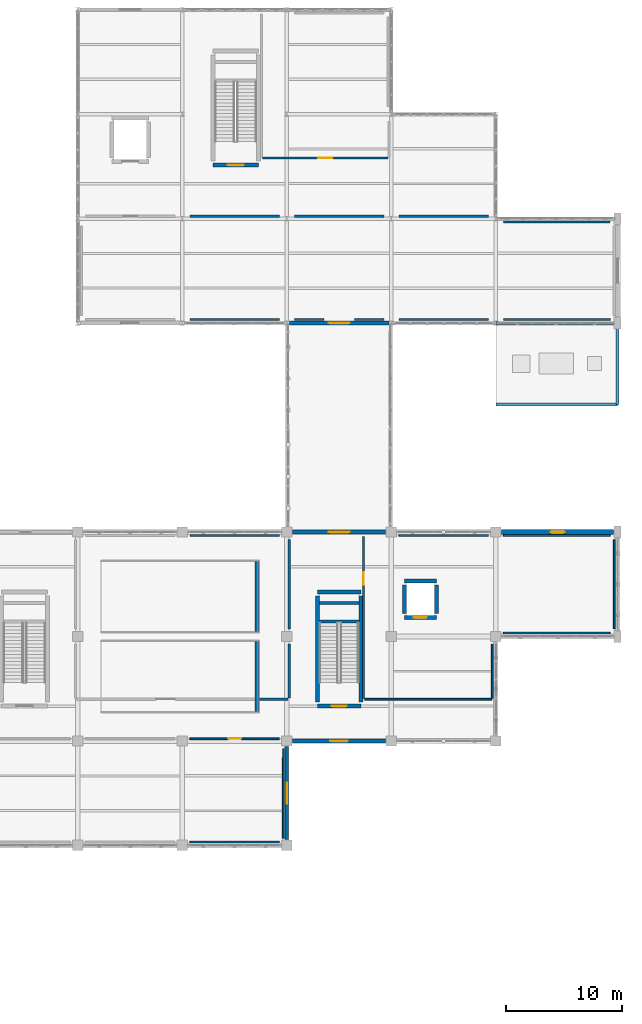
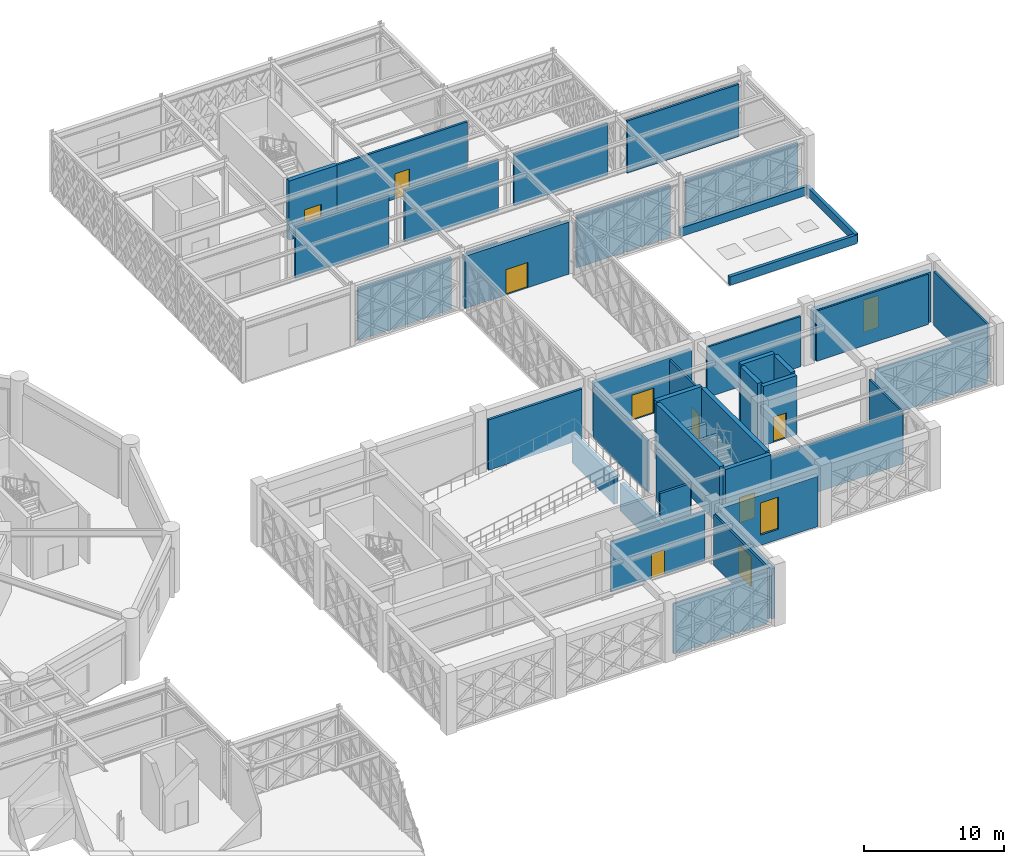
# One storey, part 146 of 166: 45 walls, 8 doors, 3 windows, 11 openings.
"""IFC4 building model written with IfcOpenShell, lengths in metres."""

from ifc_helpers import new_model, si_unit, direction, frame, frame_2d, origin, place, context, subcontext, project, spatial, rectangle, extrude, material, layer, layer_set, type_object, element, fill, save


model = new_model("IFC4")

# Units and contexts
model_context = context("Model", 3, precision=1e-05, world=origin(), true_north=direction((0.0, 1.0)))
body_context = subcontext(model_context, "Body", "Model", "MODEL_VIEW")
ifc_project = project(units=[si_unit("LENGTHUNIT", "METRE"), si_unit("AREAUNIT", "SQUARE_METRE"), si_unit("VOLUMEUNIT", "CUBIC_METRE"), si_unit("PLANEANGLEUNIT", "RADIAN"), si_unit("MASSUNIT", "GRAM", prefix="KILO")], contexts=[model_context])

# Site, building, storey
site_placement = place(None, origin())
site = spatial("IfcSite", under=ifc_project, at=site_placement, CompositionType="ELEMENT")
building_placement = place(site_placement, origin())
building = spatial("IfcBuilding", under=site, at=building_placement, Name="Haizhuo Lancet Aquarium", CompositionType="ELEMENT")
storey_placement = place(building_placement, frame((0.0, 0.0, 5.39990234375)))
storey = spatial("IfcBuildingStorey", under=building, at=storey_placement, Name="L01", CompositionType="ELEMENT", Elevation=5.39990234375)

# Wall, opening, door
ifc_material_1 = material(Name="Shandong Grey Limestone Ashlar", Category="masonry")
ifc_layer_1 = layer(ifc_material_1, 0.320068359375)
ifc_layer_set_1 = layer_set([ifc_layer_1], Name="Shandong Grey Limestone Ashlar")
wall_type_1 = type_object("IfcWallType", Name="EWL-ASH-320", PredefinedType="SOLIDWALL", material=ifc_layer_set_1)
wall_1_placement = place(storey_placement, frame((54.4951171875, -9.0, 0.0), z_axis=(0.0, 0.0, 1.0), x_axis=(1.0, 0.0, 0.0)))
wall_1 = element("IfcWall", 1, at=wall_1_placement, inside=storey, type_object=wall_type_1, Name="L01 V3 sky-bridge portal wall", PredefinedType="SOLIDWALL", context=body_context, shape_type="SweptSolid", body=[
    extrude(rectangle(XDim=8.009765625, YDim=0.320068359375, at=frame_2d((4.0048828125, 0.0))), origin(), (0.0, 0.0, 1.0), 4.375),
])
opening_1_placement = place(wall_1_placement, frame((3.10498046875, 0.0, 0.0)))
opening_1 = element("IfcOpeningElement", 2, at=opening_1_placement, cuts=wall_1, Name="Opening EX-01", PredefinedType="OPENING", context=body_context, shape_type="SweptSolid", body=[
    extrude(rectangle(XDim=1.800048828125, YDim=2.199951171875, at=frame_2d((0.89990234375, 1.10009765625))), frame((0.0, 0.169921875, 0.0), z_axis=(0.0, -1.0, 0.0), x_axis=(1.0, 0.0, 0.0)), (0.0, 0.0, 1.0), 0.340068),
])
ifc_material_2 = material(Name="Steel S355", Category="steel")
door_type_1 = type_object("IfcDoorType", Name="EDR-EXIT-1800x2200", OperationType="NOTDEFINED", PredefinedType="DOOR", material=ifc_material_2)
door_1_placement = place(opening_1_placement, origin())
door_1 = element("IfcDoor", 3, at=door_1_placement, inside=storey, type_object=door_type_1, Name="L01 V3 sky-bridge vestibule fire door", OperationType="DOUBLE_DOOR_SINGLE_SWING", OverallHeight=2.199951171875, OverallWidth=1.800048828125, PredefinedType="DOOR", context=body_context, shape_type="SweptSolid", body=[
    extrude(rectangle(XDim=1.800048828125, YDim=2.199951171875, at=frame_2d((0.89990234375, 1.10009765625))), frame((0.0, 0.02490234375, 0.0), z_axis=(0.0, -1.0, 0.0), x_axis=(1.0, 0.0, 0.0)), (0.0, 0.0, 1.0), 0.050048828125),
])
fill(opening_1, door_1)

# Wall, opening, window
wall_2_placement = place(storey_placement, frame((54.0, -27.4951171875, 0.0), z_axis=(0.0, 0.0, 1.0), x_axis=(0.0, -1.0, 0.0)))
wall_2 = element("IfcWall", 4, at=wall_2_placement, inside=storey, type_object=wall_type_1, Name="L01 V3 limestone facade wall 74", PredefinedType="SOLIDWALL", context=body_context, shape_type="SweptSolid", body=[
    extrude(rectangle(XDim=8.009765625, YDim=0.320068359375, at=frame_2d((4.0048828125, 0.0))), origin(), (0.0, 0.0, 1.0), 4.375),
])
opening_2_placement = place(wall_2_placement, frame((3.10498046875, 0.0, 0.89990234375)))
opening_2 = element("IfcOpeningElement", 5, at=opening_2_placement, cuts=wall_2, Name="Opening WN-05", PredefinedType="OPENING", context=body_context, shape_type="SweptSolid", body=[
    extrude(rectangle(XDim=1.800048828125, YDim=2.60009765625, at=frame_2d((0.89990234375, 1.300048828125))), frame((0.0, 0.169921875, 0.0), z_axis=(0.0, -1.0, 0.0), x_axis=(1.0, 0.0, 0.0)), (0.0, 0.0, 1.0), 0.340068),
])
ifc_material_3 = material(Name="Laminated Low-E Glass", Category="glass")
window_type_1 = type_object("IfcWindowType", Name="WIN-LAN-1800x2600", PartitioningType="SINGLE_PANEL", PredefinedType="WINDOW", material=ifc_material_3)
window_1_placement = place(opening_2_placement, origin())
window_1 = element("IfcWindow", 6, at=window_1_placement, inside=storey, type_object=window_type_1, Name="L01 V3 lancet window 58", OverallHeight=2.60009765625, OverallWidth=1.800048828125, PartitioningType="SINGLE_PANEL", PredefinedType="WINDOW", context=body_context, shape_type="SweptSolid", body=[
    extrude(rectangle(XDim=1.800048828125, YDim=2.60009765625, at=frame_2d((0.89990234375, 1.300048828125))), frame((0.0, 0.030029296875, 0.0), z_axis=(0.0, -1.0, 0.0), x_axis=(1.0, 0.0, 0.0)), (0.0, 0.0, 1.0), 0.06005859375),
])
fill(opening_2, window_1)

# Wall, opening, door
wall_3_placement = place(storey_placement, frame((62.780029296875, 9.0, 0.0), z_axis=(0.0, 0.0, 1.0), x_axis=(-1.0, 0.0, 0.0)))
wall_3 = element("IfcWall", 7, at=wall_3_placement, inside=storey, type_object=wall_type_1, Name="L01 V7 sky-bridge portal wall", PredefinedType="SOLIDWALL", context=body_context, shape_type="SweptSolid", body=[
    extrude(rectangle(XDim=8.56005859375, YDim=0.320068359375, at=frame_2d((4.280029296875, 0.0))), origin(), (0.0, 0.0, 1.0), 4.537109375),
])
opening_3_placement = place(wall_3_placement, frame((3.3798828125, 0.0, 0.0)))
opening_3 = element("IfcOpeningElement", 8, at=opening_3_placement, cuts=wall_3, Name="Opening EX-01", PredefinedType="OPENING", context=body_context, shape_type="SweptSolid", body=[
    extrude(rectangle(XDim=1.800048828125, YDim=2.199951171875, at=frame_2d((0.89990234375, 1.10009765625))), frame((0.0, 0.169921875, 0.0), z_axis=(0.0, -1.0, 0.0), x_axis=(1.0, 0.0, 0.0)), (0.0, 0.0, 1.0), 0.340068),
])
door_2_placement = place(opening_3_placement, origin())
door_2 = element("IfcDoor", 9, at=door_2_placement, inside=storey, type_object=door_type_1, Name="L01 V7 sky-bridge vestibule fire door", OperationType="DOUBLE_DOOR_SINGLE_SWING", OverallHeight=2.199951171875, OverallWidth=1.800048828125, PredefinedType="DOOR", context=body_context, shape_type="SweptSolid", body=[
    extrude(rectangle(XDim=1.800048828125, YDim=2.199951171875, at=frame_2d((0.89990234375, 1.10009765625))), frame((0.0, 0.02490234375, 0.0), z_axis=(0.0, -1.0, 0.0), x_axis=(1.0, 0.0, 0.0)), (0.0, 0.0, 1.0), 0.050048828125),
])
fill(opening_3, door_2)

# Wall, opening, window
ifc_layer_2 = layer(ifc_material_1, 0.360107421875)
ifc_layer_set_2 = layer_set([ifc_layer_2], Name="Shandong Grey Limestone Ashlar")
wall_type_2 = type_object("IfcWallType", Name="EWL-ASH-360", PredefinedType="SOLIDWALL", material=ifc_layer_set_2)
wall_4_placement = place(storey_placement, frame((62.5048828125, -27.0, 0.0), z_axis=(0.0, 0.0, 1.0), x_axis=(-1.0, 0.0, 0.0)))
wall_4 = element("IfcWall", 10, at=wall_4_placement, inside=storey, type_object=wall_type_2, Name="L01 V3 limestone facade wall 73", PredefinedType="SOLIDWALL", context=body_context, shape_type="SweptSolid", body=[
    extrude(rectangle(XDim=8.009765625, YDim=0.360107421875, at=frame_2d((4.0048828125, 0.0))), origin(), (0.0, 0.0, 1.0), 4.375),
])
opening_4_placement = place(wall_4_placement, frame((3.2548828125, 0.0, 0.89990234375)))
opening_4 = element("IfcOpeningElement", 11, at=opening_4_placement, cuts=wall_4, Name="Opening WN-03", PredefinedType="OPENING", context=body_context, shape_type="SweptSolid", body=[
    extrude(rectangle(XDim=1.5, YDim=2.800048828125, at=frame_2d((0.75, 1.39990234375))), frame((0.0, 0.18994140625, 0.0), z_axis=(0.0, -1.0, 0.0), x_axis=(1.0, 0.0, 0.0)), (0.0, 0.0, 1.0), 0.380107),
])
window_type_2 = type_object("IfcWindowType", Name="WIN-LAN-1500x2800", PartitioningType="SINGLE_PANEL", PredefinedType="WINDOW", material=ifc_material_3)
window_2_placement = place(opening_4_placement, origin())
window_2 = element("IfcWindow", 12, at=window_2_placement, inside=storey, type_object=window_type_2, Name="L01 V3 lancet window 57", OverallHeight=2.800048828125, OverallWidth=1.5, PartitioningType="SINGLE_PANEL", PredefinedType="WINDOW", context=body_context, shape_type="SweptSolid", body=[
    extrude(rectangle(XDim=1.5, YDim=2.800048828125, at=frame_2d((0.75, 1.39990234375))), frame((0.0, 0.030029296875, 0.0), z_axis=(0.0, -1.0, 0.0), x_axis=(1.0, 0.0, 0.0)), (0.0, 0.0, 1.0), 0.06005859375),
])
fill(opening_4, window_2)

ifc_layer_3 = layer(ifc_material_1, 0.39990234375)
ifc_layer_set_3 = layer_set([ifc_layer_3], Name="Shandong Grey Limestone Ashlar")
wall_type_3 = type_object("IfcWallType", Name="EWL-ASH-400", PredefinedType="SOLIDWALL", material=ifc_layer_set_3)
wall_5_placement = place(storey_placement, frame((72.4951171875, -9.0, 0.0), z_axis=(0.0, 0.0, 1.0), x_axis=(1.0, 0.0, 0.0)))
wall_5 = element("IfcWall", 13, at=wall_5_placement, inside=storey, type_object=wall_type_3, Name="L01 V3 limestone facade wall 72", PredefinedType="SOLIDWALL", context=body_context, shape_type="SweptSolid", body=[
    extrude(rectangle(XDim=9.659912109375, YDim=0.39990234375, at=frame_2d((4.830078125, 0.0))), origin(), (0.0, 0.0, 1.0), 4.375),
])
opening_5_placement = place(wall_5_placement, frame((4.22998046875, 0.0, 0.89990234375)))
opening_5 = element("IfcOpeningElement", 14, at=opening_5_placement, cuts=wall_5, Name="Opening WN-01", PredefinedType="OPENING", context=body_context, shape_type="SweptSolid", body=[
    extrude(rectangle(XDim=1.199951171875, YDim=2.800048828125, at=frame_2d((0.60009765625, 1.39990234375))), frame((0.0, 0.2099609375, 0.0), z_axis=(0.0, -1.0, 0.0), x_axis=(1.0, 0.0, 0.0)), (0.0, 0.0, 1.0), 0.419902),
])
window_type_3 = type_object("IfcWindowType", Name="WIN-LAN-1200x2800", PartitioningType="SINGLE_PANEL", PredefinedType="WINDOW", material=ifc_material_3)
window_3_placement = place(opening_5_placement, origin())
window_3 = element("IfcWindow", 15, at=window_3_placement, inside=storey, type_object=window_type_3, Name="L01 V3 lancet window 56", OverallHeight=2.800048828125, OverallWidth=1.199951171875, PartitioningType="SINGLE_PANEL", PredefinedType="WINDOW", context=body_context, shape_type="SweptSolid", body=[
    extrude(rectangle(XDim=1.199951171875, YDim=2.800048828125, at=frame_2d((0.60009765625, 1.39990234375))), frame((0.0, 0.030029296875, 0.0), z_axis=(0.0, -1.0, 0.0), x_axis=(1.0, 0.0, 0.0)), (0.0, 0.0, 1.0), 0.06005859375),
])
fill(opening_5, window_3)

# Walls
ifc_layer_4 = layer(ifc_material_1, 0.260009765625)
ifc_layer_set_4 = layer_set([ifc_layer_4], Name="Shandong Grey Limestone Ashlar")
wall_type_4 = type_object("IfcWallType", Name="EWL-PAR-260", PredefinedType="PARAPET", material=ifc_layer_set_4)
wall_6_placement = place(storey_placement, frame((72.0, 2.0, 0.0), z_axis=(0.0, 0.0, 1.0), x_axis=(1.0, 0.0, 0.0)))
element("IfcWall", 16, at=wall_6_placement, inside=storey, type_object=wall_type_4, Name="East arrival canopy parapet 1", PredefinedType="PARAPET", context=body_context, shape_type="SweptSolid", body=[
    extrude(rectangle(XDim=10.5, YDim=0.260009765625, at=frame_2d((5.25, 0.0))), origin(), (0.0, 0.0, 1.0), 0.75),
])
wall_7_placement = place(storey_placement, frame((82.5, 2.0, 0.0), z_axis=(0.0, 0.0, 1.0), x_axis=(0.0, 1.0, 0.0)))
element("IfcWall", 17, at=wall_7_placement, inside=storey, type_object=wall_type_4, Name="East arrival canopy parapet 2", PredefinedType="PARAPET", context=body_context, shape_type="SweptSolid", body=[
    extrude(rectangle(XDim=7.0, YDim=0.260009765625, at=frame_2d((3.5, 0.0))), origin(), (0.0, 0.0, 1.0), 0.75),
])
wall_8_placement = place(storey_placement, frame((82.5, 9.0, 0.0), z_axis=(0.0, 0.0, 1.0), x_axis=(-1.0, 0.0, 0.0)))
element("IfcWall", 18, at=wall_8_placement, inside=storey, type_object=wall_type_4, Name="East arrival canopy parapet 3", PredefinedType="PARAPET", context=body_context, shape_type="SweptSolid", body=[
    extrude(rectangle(XDim=10.5, YDim=0.260009765625, at=frame_2d((5.25, 0.0))), origin(), (0.0, 0.0, 1.0), 0.75),
])
ifc_material_4 = material(Name="Concrete C40/50", Category="concrete")
ifc_layer_5 = layer(ifc_material_4, 0.199951171875)
ifc_layer_set_5 = layer_set([ifc_layer_5], Name="Concrete C40/50")
wall_type_5 = type_object("IfcWallType", Name="IWL-ACU-200", PredefinedType="PARTITIONING", material=ifc_layer_set_5)
wall_9_placement = place(storey_placement, frame((51.625, -23.39892578125, 0.0), z_axis=(0.0, 0.0, 1.0), x_axis=(0.999999922163, -0.000394555108, 0.0)))
element("IfcWall", 19, at=wall_9_placement, inside=storey, type_object=wall_type_5, Name="L01 partition wall 249", PredefinedType="PARTITIONING", context=body_context, shape_type="SweptSolid", body=[
    extrude(rectangle(XDim=2.47509765625, YDim=0.199951171875, at=frame_2d((1.237548828125, 0.0))), origin(), (0.0, 0.0, 1.0), 4.425048828125),
])
wall_10_placement = place(storey_placement, frame((54.199951171875, -23.300048828125, 0.0), z_axis=(0.0, 0.0, 1.0), x_axis=(0.0, 1.0, 0.0)))
element("IfcWall", 20, at=wall_10_placement, inside=storey, type_object=wall_type_5, Name="L01 partition wall 250", PredefinedType="PARTITIONING", context=body_context, shape_type="SweptSolid", body=[
    extrude(rectangle(XDim=4.66015625, YDim=0.199951171875, at=frame_2d((2.330078125, 0.0))), origin(), (0.0, 0.0, 1.0), 4.425048828125),
])
wall_11_placement = place(storey_placement, frame((54.199951171875, -17.360107421875, 0.0), z_axis=(0.0, 0.0, 1.0), x_axis=(0.0, 1.0, 0.0)))
element("IfcWall", 21, at=wall_11_placement, inside=storey, type_object=wall_type_5, Name="L01 partition wall 251", PredefinedType="PARTITIONING", context=body_context, shape_type="SweptSolid", body=[
    extrude(rectangle(XDim=7.710205078125, YDim=0.199951171875, at=frame_2d((3.85498046875, 0.0))), origin(), (0.0, 0.0, 1.0), 4.425048828125),
])
wall_12_placement = place(storey_placement, frame((53.35009765625, -9.300048828125, 0.0), z_axis=(0.0, 0.0, 1.0), x_axis=(-1.0, 0.0, 0.0)))
element("IfcWall", 22, at=wall_12_placement, inside=storey, type_object=wall_type_5, Name="L01 partition wall 252", PredefinedType="PARTITIONING", context=body_context, shape_type="SweptSolid", body=[
    extrude(rectangle(XDim=7.7001953125, YDim=0.199951171875, at=frame_2d((3.85009765625, 0.0))), origin(), (0.0, 0.0, 1.0), 4.375),
])
ifc_layer_6 = layer(ifc_material_4, 0.179931640625)
ifc_layer_set_6 = layer_set([ifc_layer_6], Name="Concrete C40/50")
wall_type_6 = type_object("IfcWallType", Name="IWL-LAB-180", PredefinedType="PARTITIONING", material=ifc_layer_set_6)
wall_13_placement = place(storey_placement, frame((45.64990234375, 9.300048828125, 0.0), z_axis=(0.0, 0.0, 1.0), x_axis=(1.0, 0.0, 0.0)))
element("IfcWall", 23, at=wall_13_placement, inside=storey, type_object=wall_type_6, Name="L01 partition wall 324", PredefinedType="PARTITIONING", context=body_context, shape_type="SweptSolid", body=[
    extrude(rectangle(XDim=7.7001953125, YDim=0.179931640625, at=frame_2d((3.85009765625, 0.0))), origin(), (0.0, 0.0, 1.0), 4.537109375),
])
for number, where, z_axis, x_axis, name in (
    (24, (54.64990234375, 9.300048828125, 0.0), (0.0, 0.0, 1.0), (1.0, 0.0, 0.0), "L01 partition wall 325"),
    (25, (59.81494140625, 9.300048828125, 0.0), (0.0, 0.0, 1.0), (1.0, 0.0, 0.0), "L01 partition wall 326"),
):
    element("IfcWall", number, at=place(storey_placement, frame(where, z_axis=z_axis, x_axis=x_axis)), inside=storey, type_object=wall_type_6, Name=name, PredefinedType="PARTITIONING", context=body_context, shape_type="SweptSolid", body=[
        extrude(rectangle(XDim=2.53515625, YDim=0.179931640625, at=frame_2d((1.267578125, 0.0))), origin(), (0.0, 0.0, 1.0), 4.537109375),
    ])
wall_14_placement = place(storey_placement, frame((63.64990234375, 9.300048828125, 0.0), z_axis=(0.0, 0.0, 1.0), x_axis=(1.0, 0.0, 0.0)))
element("IfcWall", 26, at=wall_14_placement, inside=storey, type_object=wall_type_6, Name="L01 partition wall 327", PredefinedType="PARTITIONING", context=body_context, shape_type="SweptSolid", body=[
    extrude(rectangle(XDim=7.7001953125, YDim=0.179931640625, at=frame_2d((3.85009765625, 0.0))), origin(), (0.0, 0.0, 1.0), 4.537109375),
])
wall_15_placement = place(storey_placement, frame((72.64990234375, 9.300048828125, 0.0), z_axis=(0.0, 0.0, 1.0), x_axis=(0.999999977515, 0.000212060963, 0.0)))
element("IfcWall", 27, at=wall_15_placement, inside=storey, type_object=wall_type_6, Name="L01 partition wall 328", PredefinedType="PARTITIONING", context=body_context, shape_type="SweptSolid", body=[
    extrude(rectangle(XDim=9.210205078125, YDim=0.179931640625, at=frame_2d((4.60498046875, 0.0))), origin(), (0.0, 0.0, 1.0), 4.537109375),
])
wall_16_placement = place(storey_placement, frame((81.85009765625, 17.699951171875, 0.0), z_axis=(0.0, 0.0, 1.0), x_axis=(-1.0, 0.0, 0.0)))
element("IfcWall", 28, at=wall_16_placement, inside=storey, type_object=wall_type_6, Name="L01 partition wall 330", PredefinedType="PARTITIONING", context=body_context, shape_type="SweptSolid", body=[
    extrude(rectangle(XDim=9.2001953125, YDim=0.179931640625, at=frame_2d((4.60009765625, 0.0))), origin(), (0.0, 0.0, 1.0), 4.537109375),
])
for number, where, z_axis, x_axis, name in (
    (29, (71.35009765625, 18.199951171875, 0.0), (0.0, 0.0, 1.0), (-1.0, 0.0, 0.0), "L01 partition wall 331"),
    (30, (62.35009765625, 18.199951171875, 0.0), (0.0, 0.0, 1.0), (-1.0, 0.0, 0.0), "L01 partition wall 332"),
    (31, (53.35009765625, 18.199951171875, 0.0), (0.0, 0.0, 1.0), (-1.0, 0.0, 0.0), "L01 partition wall 333"),
):
    element("IfcWall", number, at=place(storey_placement, frame(where, z_axis=z_axis, x_axis=x_axis)), inside=storey, type_object=wall_type_6, Name=name, PredefinedType="PARTITIONING", context=body_context, shape_type="SweptSolid", body=[
        extrude(rectangle(XDim=7.710205078125, YDim=0.179931640625, at=frame_2d((3.85498046875, 0.0))), origin(), (0.0, 0.0, 1.0), 4.537109375),
    ])

# Wall, opening, door
wall_17_placement = place(storey_placement, frame((51.89990234375, 23.199951171875, 0.0), z_axis=(0.0, 0.0, 1.0), x_axis=(1.0, 0.0, 0.0)))
wall_17 = element("IfcWall", 32, at=wall_17_placement, inside=storey, type_object=wall_type_6, Name="L01 partition wall 337", PredefinedType="PARTITIONING", context=body_context, shape_type="SweptSolid", body=[
    extrude(rectangle(XDim=10.800048828125, YDim=0.179931640625, at=frame_2d((5.39990234375, 0.0))), origin(), (0.0, 0.0, 1.0), 4.63720703125),
])
opening_6_placement = place(wall_17_placement, frame((4.800048828125, 0.0, 0.0)))
opening_6 = element("IfcOpeningElement", 33, at=opening_6_placement, cuts=wall_17, Name="Opening D-04", PredefinedType="OPENING", context=body_context, shape_type="SweptSolid", body=[
    extrude(rectangle(XDim=1.199951171875, YDim=2.199951171875, at=frame_2d((0.60009765625, 1.10009765625))), frame((0.0, 0.099853515625, 0.0), z_axis=(0.0, -1.0, 0.0), x_axis=(1.0, 0.0, 0.0)), (0.0, 0.0, 1.0), 0.199932),
])
door_type_2 = type_object("IfcDoorType", Name="IDR-LAB-1200x2200", OperationType="NOTDEFINED", PredefinedType="DOOR", material=ifc_material_2)
door_3_placement = place(opening_6_placement, origin())
door_3 = element("IfcDoor", 34, at=door_3_placement, inside=storey, type_object=door_type_2, Name="L01 Husbandry Feed Preparation Laboratory door", OperationType="SINGLE_SWING_LEFT", OverallHeight=2.199951171875, OverallWidth=1.199951171875, PredefinedType="DOOR", context=body_context, shape_type="SweptSolid", body=[
    extrude(rectangle(XDim=1.199951171875, YDim=2.199951171875, at=frame_2d((0.60009765625, 1.10009765625))), frame((0.0, 0.02490234375, 0.0), z_axis=(0.0, -1.0, 0.0), x_axis=(1.0, 0.0, 0.0)), (0.0, 0.0, 1.0), 0.050048828125),
])
fill(opening_6, door_3)

ifc_material_5 = material(Name="Gypsum Fireboard Partition")
ifc_layer_7 = layer(ifc_material_5, 0.14990234375)
ifc_layer_set_7 = layer_set([ifc_layer_7], Name="Gypsum Fireboard Partition")
wall_type_7 = type_object("IfcWallType", Name="IWL-STD-150", PredefinedType="PARTITIONING", material=ifc_layer_set_7)
wall_18_placement = place(storey_placement, frame((60.60009765625, -9.389892578125, 0.0), z_axis=(0.0, 0.0, 1.0), x_axis=(0.0, -1.0, 0.0)))
wall_18 = element("IfcWall", 35, at=wall_18_placement, inside=storey, type_object=wall_type_7, Name="L01 partition wall 255", PredefinedType="PARTITIONING", context=body_context, shape_type="SweptSolid", body=[
    extrude(rectangle(XDim=13.91015625, YDim=0.14990234375, at=frame_2d((6.955078125, 0.0))), origin(), (0.0, 0.0, 1.0), 4.375),
])
opening_7_placement = place(wall_18_placement, frame((3.06689453125, 0.0, 0.0)))
opening_7 = element("IfcOpeningElement", 36, at=opening_7_placement, cuts=wall_18, Name="Opening D-05", PredefinedType="OPENING", context=body_context, shape_type="SweptSolid", body=[
    extrude(rectangle(XDim=1.10009765625, YDim=2.14990234375, at=frame_2d((0.550048828125, 1.074951171875))), frame((0.0, 0.0849609375, 0.0), z_axis=(0.0, -1.0, 0.0), x_axis=(1.0, 0.0, 0.0)), (0.0, 0.0, 1.0), 0.169902),
])
ifc_material_6 = material(Name="Aluminium 6063-T6", Category="aluminium")
door_type_3 = type_object("IfcDoorType", Name="IDR-CLS-1100x2150", OperationType="NOTDEFINED", PredefinedType="DOOR", material=ifc_material_6)
door_4_placement = place(opening_7_placement, origin())
door_4 = element("IfcDoor", 37, at=door_4_placement, inside=storey, type_object=door_type_3, Name="L01 Education Centre Classroom door", OperationType="SINGLE_SWING_LEFT", OverallHeight=2.14990234375, OverallWidth=1.10009765625, PredefinedType="DOOR", context=body_context, shape_type="SweptSolid", body=[
    extrude(rectangle(XDim=1.10009765625, YDim=2.14990234375, at=frame_2d((0.550048828125, 1.074951171875))), frame((0.0, 0.02490234375, 0.0), z_axis=(0.0, -1.0, 0.0), x_axis=(1.0, 0.0, 0.0)), (0.0, 0.0, 1.0), 0.050048828125),
])
fill(opening_7, door_4)

# Walls
wall_19_placement = place(storey_placement, frame((60.699951171875, -23.39990234375, 0.0), z_axis=(0.0, 0.0, 1.0), x_axis=(0.999999936125, 0.00035742207, 0.0)))
element("IfcWall", 38, at=wall_19_placement, inside=storey, type_object=wall_type_7, Name="L01 partition wall 256", PredefinedType="PARTITIONING", context=body_context, shape_type="SweptSolid", body=[
    extrude(rectangle(XDim=10.928955078125, YDim=0.14990234375, at=frame_2d((5.46435546875, 0.0))), origin(), (0.0, 0.0, 1.0), 4.425048828125),
])
wall_20_placement = place(storey_placement, frame((71.699951171875, -23.300048828125, 0.0), z_axis=(0.0, 0.0, 1.0), x_axis=(0.0, 1.0, 0.0)))
element("IfcWall", 39, at=wall_20_placement, inside=storey, type_object=wall_type_7, Name="L01 partition wall 257", PredefinedType="PARTITIONING", context=body_context, shape_type="SweptSolid", body=[
    extrude(rectangle(XDim=4.650146484375, YDim=0.14990234375, at=frame_2d((2.3251953125, 0.0))), origin(), (0.0, 0.0, 1.0), 4.425048828125),
])
wall_21_placement = place(storey_placement, frame((72.64990234375, -17.699951171875, 0.0), z_axis=(0.0, 0.0, 1.0), x_axis=(1.0, 0.0, 0.0)))
element("IfcWall", 40, at=wall_21_placement, inside=storey, type_object=wall_type_7, Name="L01 partition wall 258", PredefinedType="PARTITIONING", context=body_context, shape_type="SweptSolid", body=[
    extrude(rectangle(XDim=9.2001953125, YDim=0.14990234375, at=frame_2d((4.60009765625, 0.0))), origin(), (0.0, 0.0, 1.0), 4.375),
])
wall_22_placement = place(storey_placement, frame((82.199951171875, -17.35009765625, 0.0), z_axis=(0.0, 0.0, 1.0), x_axis=(0.0, 1.0, 0.0)))
element("IfcWall", 41, at=wall_22_placement, inside=storey, type_object=wall_type_7, Name="L01 partition wall 259", PredefinedType="PARTITIONING", context=body_context, shape_type="SweptSolid", body=[
    extrude(rectangle(XDim=7.7001953125, YDim=0.14990234375, at=frame_2d((3.85009765625, 0.0))), origin(), (0.0, 0.0, 1.0), 4.68505859375),
])
wall_23_placement = place(storey_placement, frame((81.85009765625, -9.300048828125, 0.0), z_axis=(0.0, 0.0, 1.0), x_axis=(-1.0, 0.0, 0.0)))
element("IfcWall", 42, at=wall_23_placement, inside=storey, type_object=wall_type_7, Name="L01 partition wall 260", PredefinedType="PARTITIONING", context=body_context, shape_type="SweptSolid", body=[
    extrude(rectangle(XDim=9.2001953125, YDim=0.14990234375, at=frame_2d((4.60009765625, 0.0))), origin(), (0.0, 0.0, 1.0), 4.375),
])
for number, where, z_axis, x_axis, name in (
    (43, (71.35009765625, -9.300048828125, 0.0), (0.0, 0.0, 1.0), (-1.0, 0.0, 0.0), "L01 partition wall 261"),
    (44, (45.64990234375, -35.699951171875, 0.0), (0.0, 0.0, 1.0), (1.0, 0.0, 0.0), "L01 partition wall 265"),
):
    element("IfcWall", number, at=place(storey_placement, frame(where, z_axis=z_axis, x_axis=x_axis)), inside=storey, type_object=wall_type_7, Name=name, PredefinedType="PARTITIONING", context=body_context, shape_type="SweptSolid", body=[
        extrude(rectangle(XDim=7.7001953125, YDim=0.14990234375, at=frame_2d((3.85009765625, 0.0))), origin(), (0.0, 0.0, 1.0), 4.375),
    ])
wall_24_placement = place(storey_placement, frame((53.696044921875, -35.360107421875, 0.0), z_axis=(0.0, 0.0, 1.0), x_axis=(0.00050663367, 0.999999871661, 0.0)))
element("IfcWall", 45, at=wall_24_placement, inside=storey, type_object=wall_type_7, Name="L01 partition wall 266", PredefinedType="PARTITIONING", context=body_context, shape_type="SweptSolid", body=[
    extrude(rectangle(XDim=7.710205078125, YDim=0.14990234375, at=frame_2d((3.85498046875, 0.0))), origin(), (0.0, 0.0, 1.0), 4.425048828125),
])

# Wall, opening, door
wall_25_placement = place(storey_placement, frame((53.360107421875, -26.803955078125, 0.0), z_axis=(0.0, 0.0, 1.0), x_axis=(-0.999999871994, 0.000505976787, 0.0)))
wall_25 = element("IfcWall", 46, at=wall_25_placement, inside=storey, type_object=wall_type_7, Name="L01 partition wall 267", PredefinedType="PARTITIONING", context=body_context, shape_type="SweptSolid", body=[
    extrude(rectangle(XDim=7.72021484375, YDim=0.14990234375, at=frame_2d((3.860107421875, 0.0))), origin(), (0.0, 0.0, 1.0), 4.375),
])
opening_8_placement = place(wall_25_placement, frame((3.31005859375, 0.0, 0.0)))
opening_8 = element("IfcOpeningElement", 47, at=opening_8_placement, cuts=wall_25, Name="Opening D-05", PredefinedType="OPENING", context=body_context, shape_type="SweptSolid", body=[
    extrude(rectangle(XDim=1.10009765625, YDim=2.14990234375, at=frame_2d((0.550048828125, 1.074951171875))), frame((0.0, 0.0849609375, 0.0), z_axis=(0.0, -1.0, 0.0), x_axis=(1.0, 0.0, 0.0)), (0.0, 0.0, 1.0), 0.169902),
])
door_5_placement = place(opening_8_placement, origin())
door_5 = element("IfcDoor", 48, at=door_5_placement, inside=storey, type_object=door_type_3, Name="L01 Marine Specimen Teaching Room door", OperationType="SINGLE_SWING_RIGHT", OverallHeight=2.14990234375, OverallWidth=1.10009765625, PredefinedType="DOOR", context=body_context, shape_type="SweptSolid", body=[
    extrude(rectangle(XDim=1.10009765625, YDim=2.14990234375, at=frame_2d((0.550048828125, 1.074951171875))), frame((0.0, 0.02490234375, 0.0), z_axis=(0.0, -1.0, 0.0), x_axis=(1.0, 0.0, 0.0)), (0.0, 0.0, 1.0), 0.050048828125),
])
fill(opening_8, door_5)

# Walls
ifc_layer_8 = layer(ifc_material_4, 0.35009765625)
ifc_layer_set_8 = layer_set([ifc_layer_8], Name="Concrete C40/50")
wall_type_8 = type_object("IfcWallType", Name="WL-CORE-350", PredefinedType="SHEAR", material=ifc_layer_set_8)
for number, where, z_axis, x_axis, name in (
    (49, (51.425048828125, -24.449951171875, 0.0), (0.0, 0.0, 1.0), (0.0, 1.0, 0.0), "Auditorium raked tier support wall 1"),
    (50, (51.425048828125, -17.550048828125, 0.0), (0.0, 0.0, 1.0), (0.0, 1.0, 0.0), "Auditorium raked tier support wall 2"),
):
    element("IfcWall", number, at=place(storey_placement, frame(where, z_axis=z_axis, x_axis=x_axis)), inside=storey, type_object=wall_type_8, Name=name, PredefinedType="SHEAR", context=body_context, shape_type="SweptSolid", body=[
        extrude(rectangle(XDim=6.0, YDim=0.35009765625, at=frame_2d((3.0, 0.0))), origin(), (0.0, 0.0, 1.0), 2.403076171875),
    ])
for number, where, z_axis, x_axis, name in (
    (51, (56.800048828125, -16.72509765625, 0.0), (0.0, 0.0, 1.0), (1.0, 0.0, 0.0), "L01 ST-05 landing support wall"),
    (52, (56.800048828125, -15.125, 0.0), (0.0, 0.0, 1.0), (1.0, 0.0, 0.0), "L01 ST-05 far landing support wall"),
):
    element("IfcWall", number, at=place(storey_placement, frame(where, z_axis=z_axis, x_axis=x_axis)), inside=storey, type_object=wall_type_8, Name=name, PredefinedType="SHEAR", context=body_context, shape_type="SweptSolid", body=[
        extrude(rectangle(XDim=3.39990234375, YDim=0.25, at=frame_2d((1.699951171875, 0.0))), origin(), (0.0, 0.0, 1.0), 2.5),
    ])

# Wall, opening, door
wall_26_placement = place(storey_placement, frame((56.625, -23.97509765625, 0.0), z_axis=(0.0, 0.0, 1.0), x_axis=(1.0, 0.0, 0.0)))
wall_26 = element("IfcWall", 53, at=wall_26_placement, inside=storey, type_object=wall_type_8, Name="L01 ST-05 core shear wall S", PredefinedType="SHEAR", context=body_context, shape_type="SweptSolid", body=[
    extrude(rectangle(XDim=3.75, YDim=0.35009765625, at=frame_2d((1.875, 0.0))), origin(), (0.0, 0.0, 1.0), 5.150146484375),
])
opening_9_placement = place(wall_26_placement, frame((1.22509765625, 0.0, 0.0)))
opening_9 = element("IfcOpeningElement", 54, at=opening_9_placement, cuts=wall_26, Name="Opening FD-02", PredefinedType="OPENING", context=body_context, shape_type="SweptSolid", body=[
    extrude(rectangle(XDim=1.300048828125, YDim=2.199951171875, at=frame_2d((0.64990234375, 1.10009765625))), frame((0.0, 0.18505859375, 0.0), z_axis=(0.0, -1.0, 0.0), x_axis=(1.0, 0.0, 0.0)), (0.0, 0.0, 1.0), 0.370098),
])
door_type_4 = type_object("IfcDoorType", Name="IDR-STAIR-1300x2200", OperationType="NOTDEFINED", PredefinedType="DOOR", material=ifc_material_2)
door_6_placement = place(opening_9_placement, origin())
door_6 = element("IfcDoor", 55, at=door_6_placement, inside=storey, type_object=door_type_4, Name="L01 ST-05 stairwell fire door", OperationType="SINGLE_SWING_LEFT", OverallHeight=2.199951171875, OverallWidth=1.300048828125, PredefinedType="DOOR", context=body_context, shape_type="SweptSolid", body=[
    extrude(rectangle(XDim=1.300048828125, YDim=2.199951171875, at=frame_2d((0.64990234375, 1.10009765625))), frame((0.0, 0.02490234375, 0.0), z_axis=(0.0, -1.0, 0.0), x_axis=(1.0, 0.0, 0.0)), (0.0, 0.0, 1.0), 0.050048828125),
])
fill(opening_9, door_6)

# Walls
wall_27_placement = place(storey_placement, frame((56.625, -14.175048828125, 0.0), z_axis=(0.0, 0.0, 1.0), x_axis=(1.0, 0.0, 0.0)))
element("IfcWall", 56, at=wall_27_placement, inside=storey, type_object=wall_type_8, Name="L01 ST-05 core shear wall N", PredefinedType="SHEAR", context=body_context, shape_type="SweptSolid", body=[
    extrude(rectangle(XDim=3.75, YDim=0.35009765625, at=frame_2d((1.875, 0.0))), origin(), (0.0, 0.0, 1.0), 5.150146484375),
])
for number, where, z_axis, x_axis, name in (
    (57, (56.625, -23.625, 0.0), (0.0, 0.0, 1.0), (0.0, 1.0, 0.0), "L01 ST-05 core shear wall W"),
    (58, (60.375, -23.625, 0.0), (0.0, 0.0, 1.0), (0.0, 1.0, 0.0), "L01 ST-05 core shear wall E"),
):
    element("IfcWall", number, at=place(storey_placement, frame(where, z_axis=z_axis, x_axis=x_axis)), inside=storey, type_object=wall_type_8, Name=name, PredefinedType="SHEAR", context=body_context, shape_type="SweptSolid", body=[
        extrude(rectangle(XDim=9.10009765625, YDim=0.35009765625, at=frame_2d((4.550048828125, 0.0))), origin(), (0.0, 0.0, 1.0), 5.150146484375),
    ])

# Wall, opening, door
wall_28_placement = place(storey_placement, frame((47.625, 22.625, 0.0), z_axis=(0.0, 0.0, 1.0), x_axis=(1.0, 0.0, 0.0)))
wall_28 = element("IfcWall", 59, at=wall_28_placement, inside=storey, type_object=wall_type_8, Name="L01 ST-10 core shear wall S", PredefinedType="SHEAR", context=body_context, shape_type="SweptSolid", body=[
    extrude(rectangle(XDim=3.949951171875, YDim=0.35009765625, at=frame_2d((1.97509765625, 0.0))), origin(), (0.0, 0.0, 1.0), 5.150146484375),
])
opening_10_placement = place(wall_28_placement, frame((1.27490234375, 0.0, 0.0)))
opening_10 = element("IfcOpeningElement", 60, at=opening_10_placement, cuts=wall_28, Name="Opening FD-01", PredefinedType="OPENING", context=body_context, shape_type="SweptSolid", body=[
    extrude(rectangle(XDim=1.39990234375, YDim=2.199951171875, at=frame_2d((0.699951171875, 1.10009765625))), frame((0.0, 0.18505859375, 0.0), z_axis=(0.0, -1.0, 0.0), x_axis=(1.0, 0.0, 0.0)), (0.0, 0.0, 1.0), 0.370098),
])
door_type_5 = type_object("IfcDoorType", Name="IDR-STAIR-1400x2200", OperationType="NOTDEFINED", PredefinedType="DOOR", material=ifc_material_2)
door_7_placement = place(opening_10_placement, origin())
door_7 = element("IfcDoor", 61, at=door_7_placement, inside=storey, type_object=door_type_5, Name="L01 ST-10 stairwell fire door", OperationType="SINGLE_SWING_RIGHT", OverallHeight=2.199951171875, OverallWidth=1.39990234375, PredefinedType="DOOR", context=body_context, shape_type="SweptSolid", body=[
    extrude(rectangle(XDim=1.39990234375, YDim=2.199951171875, at=frame_2d((0.699951171875, 1.10009765625))), frame((0.0, 0.02490234375, 0.0), z_axis=(0.0, -1.0, 0.0), x_axis=(1.0, 0.0, 0.0)), (0.0, 0.0, 1.0), 0.050048828125),
])
fill(opening_10, door_7)

wall_29_placement = place(storey_placement, frame((64.125, -16.375, 0.0), z_axis=(0.0, 0.0, 1.0), x_axis=(1.0, 0.0, 0.0)))
wall_29 = element("IfcWall", 62, at=wall_29_placement, inside=storey, type_object=wall_type_8, Name="L01 LP-02 lift shaft wall -Y", PredefinedType="SHEAR", context=body_context, shape_type="SweptSolid", body=[
    extrude(rectangle(XDim=2.75, YDim=0.35009765625, at=frame_2d((1.375, 0.0))), origin(), (0.0, 0.0, 1.0), 5.150146484375),
])
opening_11_placement = place(wall_29_placement, frame((0.824951171875, 0.0, 0.0)))
opening_11 = element("IfcOpeningElement", 63, at=opening_11_placement, cuts=wall_29, Name="Opening LD-01", PredefinedType="OPENING", context=body_context, shape_type="SweptSolid", body=[
    extrude(rectangle(XDim=1.10009765625, YDim=2.199951171875, at=frame_2d((0.550048828125, 1.10009765625))), frame((0.0, 0.18505859375, 0.0), z_axis=(0.0, -1.0, 0.0), x_axis=(1.0, 0.0, 0.0)), (0.0, 0.0, 1.0), 0.370098),
])
door_type_6 = type_object("IfcDoorType", Name="IDR-LIFT-1100x2200", OperationType="NOTDEFINED", PredefinedType="DOOR", material=ifc_material_2)
door_8_placement = place(opening_11_placement, origin())
door_8 = element("IfcDoor", 64, at=door_8_placement, inside=storey, type_object=door_type_6, Name="L01 LP-02 sliding lift landing door", OperationType="DOUBLE_DOOR_SLIDING", OverallHeight=2.199951171875, OverallWidth=1.10009765625, PredefinedType="DOOR", context=body_context, shape_type="SweptSolid", body=[
    extrude(rectangle(XDim=1.10009765625, YDim=2.199951171875, at=frame_2d((0.550048828125, 1.10009765625))), frame((0.0, 0.02490234375, 0.0), z_axis=(0.0, -1.0, 0.0), x_axis=(1.0, 0.0, 0.0)), (0.0, 0.0, 1.0), 0.050048828125),
])
fill(opening_11, door_8)

# Walls
wall_30_placement = place(storey_placement, frame((66.875, -13.22509765625, 0.0), z_axis=(0.0, 0.0, 1.0), x_axis=(-1.0, 0.0, 0.0)))
element("IfcWall", 65, at=wall_30_placement, inside=storey, type_object=wall_type_8, Name="L01 LP-02 lift shaft wall +Y", PredefinedType="SHEAR", context=body_context, shape_type="SweptSolid", body=[
    extrude(rectangle(XDim=2.75, YDim=0.35009765625, at=frame_2d((1.375, 0.0))), origin(), (0.0, 0.0, 1.0), 5.150146484375),
])
for number, where, z_axis, x_axis, name in (
    (66, (64.125, -16.02490234375, 0.0), (0.0, 0.0, 1.0), (0.0, 1.0, 0.0), "L01 LP-02 lift shaft wall -X"),
    (67, (66.875, -16.02490234375, 0.0), (0.0, 0.0, 1.0), (0.0, 1.0, 0.0), "L01 LP-02 lift shaft wall +X"),
):
    element("IfcWall", number, at=place(storey_placement, frame(where, z_axis=z_axis, x_axis=x_axis)), inside=storey, type_object=wall_type_8, Name=name, PredefinedType="SHEAR", context=body_context, shape_type="SweptSolid", body=[
        extrude(rectangle(XDim=2.449951171875, YDim=0.35009765625, at=frame_2d((1.22509765625, 0.0))), origin(), (0.0, 0.0, 1.0), 5.150146484375),
    ])

save(model, "model.ifc")
